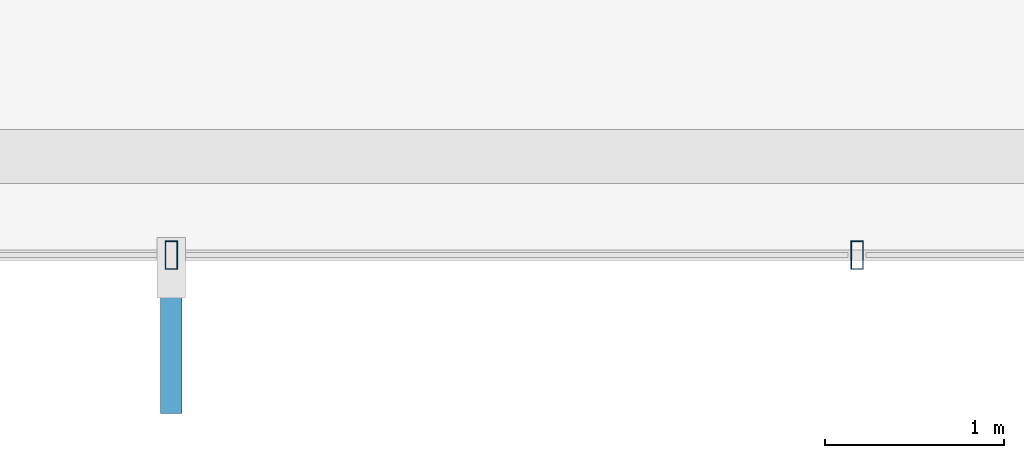
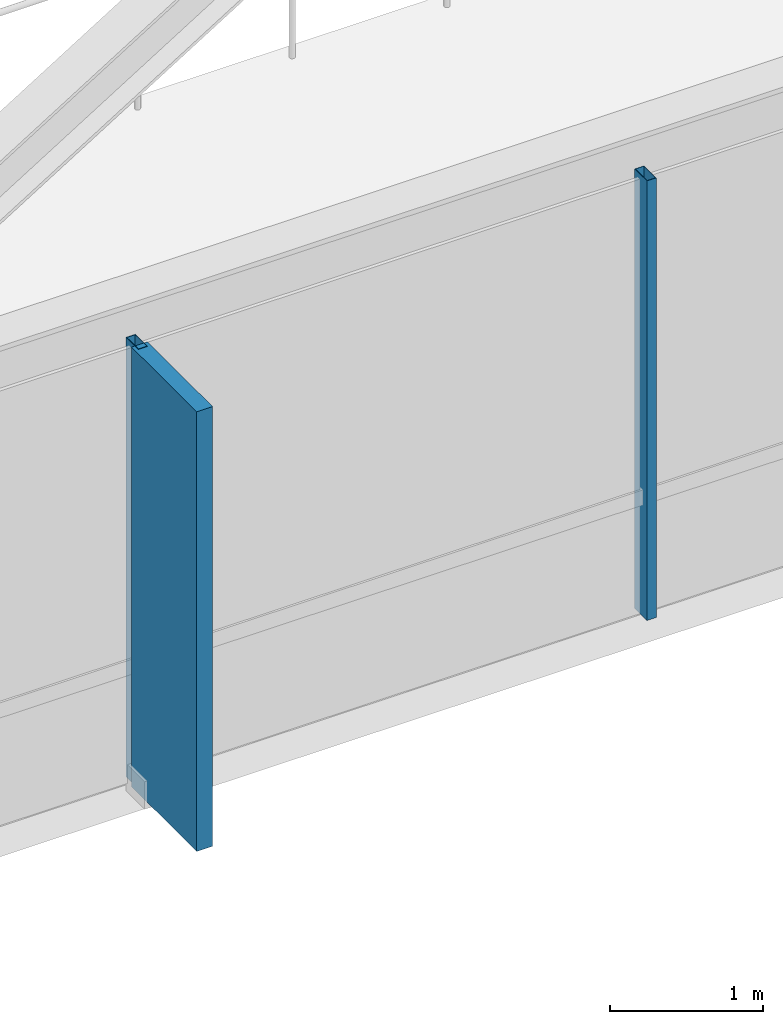
# One storey, part 6 of 27: 3 members, 1 element without a shape of its own.
"""IFC4 building model written with IfcOpenShell, lengths in metres."""

from ifc_helpers import new_model, si_unit, direction, frame, origin, origin_2d, place, context, subcontext, project, spatial, rectangle, hollow_rectangle, extrude, material, layer, layer_set, material_profile, profile_set, type_object, element, aggregate, save


model = new_model("IFC4")

# Units and contexts
model_context = context("Model", 3, precision=1e-05, world=origin(), true_north=direction((0.0, 1.0)))
body_context = subcontext(model_context, "Body", "Model", "MODEL_VIEW")
ifc_project = project(units=[si_unit("LENGTHUNIT", "METRE"), si_unit("AREAUNIT", "SQUARE_METRE"), si_unit("VOLUMEUNIT", "CUBIC_METRE"), si_unit("PLANEANGLEUNIT", "RADIAN"), si_unit("MASSUNIT", "GRAM", prefix="KILO")], contexts=[model_context])

# Site, building, storey
site_placement = place(None, origin())
site = spatial("IfcSite", under=ifc_project, at=site_placement, CompositionType="ELEMENT")
building_placement = place(site_placement, origin())
building = spatial("IfcBuilding", under=site, at=building_placement, Name="Zarrinselat Tower", CompositionType="ELEMENT")
storey_placement = place(building_placement, frame((0.0, 0.0, 172.0400390625)))
storey = spatial("IfcBuildingStorey", under=building, at=storey_placement, Name="L42", CompositionType="ELEMENT", Elevation=172.0400390625)

# Curtain wall, members
ifc_material_1 = material(Name="Extruded Aluminium Alloy EN AW-6063 T6", Category="aluminium")
ifc_layer = layer(ifc_material_1, 0.175048828125)
ifc_layer_set = layer_set([ifc_layer], Name="Extruded Aluminium Alloy EN AW-6063 T6")
curtain_wall_type = type_object("IfcCurtainWallType", Name="CWS-HTL", PredefinedType="NOTDEFINED", material=ifc_layer_set)
curtain_wall_placement = place(storey_placement, origin())
curtain_wall = element("IfcCurtainWall", 1, at=curtain_wall_placement, inside=storey, type_object=curtain_wall_type, Name="L42 Unitised Curtain Wall CW-L42-E04", PredefinedType="NOTDEFINED")
ifc_material_2 = material(Name="Extruded Aluminium Alloy EN AW-6063 T6", Category="aluminium")
ifc_material_profile_1 = material_profile(ifc_material_2, hollow_rectangle(XDim=0.070068359375, YDim=0.159912109375, WallThickness=0.00390625, at=origin_2d()), Name="RHS 160x70x4")
ifc_profile_set_1 = profile_set([ifc_material_profile_1], Name="Extruded Aluminium Alloy EN AW-6063 T6")
member_type_1 = type_object("IfcMemberType", Name="MEM-CW-MUL2", PredefinedType="MULLION", material=ifc_profile_set_1)
member_1_placement = place(storey_placement, frame((34.56884765625, 17.6533203125, 0.0), z_axis=(0.0, 0.0, 1.0), x_axis=(1.0, 0.0, 0.0)))
member_1 = element("IfcMember", 2, at=member_1_placement, type_object=member_type_1, Name="CW-L42-E04 Mullion 1", PredefinedType="MULLION", context=body_context, shape_type="SweptSolid", body=[
    extrude(hollow_rectangle(XDim=0.070068359375, YDim=0.159912109375, WallThickness=0.00390625, at=origin_2d()), origin(), (0.0, 0.0, 1.0), 3.5),
])
member_2_placement = place(storey_placement, frame((38.39990234375, 17.6533203125, 0.0), z_axis=(0.0, 0.0, 1.0), x_axis=(1.0, 0.0, 0.0)))
member_2 = element("IfcMember", 3, at=member_2_placement, type_object=member_type_1, Name="CW-L42-E04 Mullion 2", PredefinedType="MULLION", context=body_context, shape_type="SweptSolid", body=[
    extrude(hollow_rectangle(XDim=0.070068359375, YDim=0.159912109375, WallThickness=0.00390625, at=origin_2d()), origin(), (0.0, 0.0, 1.0), 3.5),
])
ifc_material_3 = material(Name="Honed Cream Travertine Stone", Category="masonry")
ifc_material_profile_2 = material_profile(ifc_material_3, rectangle(XDim=0.1201171875, YDim=0.85009765625, at=origin_2d()), Name="FIN 850x120")
ifc_profile_set_2 = profile_set([ifc_material_profile_2], Name="Honed Cream Travertine Stone")
member_type_2 = type_object("IfcMemberType", Name="MEM-STONE-FIN", PredefinedType="USERDEFINED", material=ifc_profile_set_2)
member_3_placement = place(storey_placement, frame((34.56884765625, 17.193359375, 0.0), z_axis=(0.0, 0.0, 1.0), x_axis=(-1.0, 0.0, 0.0)))
member_3 = element("IfcMember", 4, at=member_3_placement, type_object=member_type_2, Name="L42 Stone Shading Fin CW-L42-E04-01", ObjectType="FIN", PredefinedType="USERDEFINED", context=body_context, shape_type="SweptSolid", body=[
    extrude(rectangle(XDim=0.1201171875, YDim=0.85009765625, at=origin_2d()), origin(), (0.0, 0.0, 1.0), 3.5),
])
aggregate(curtain_wall, [member_1, member_3, member_2])

save(model, "model.ifc")
